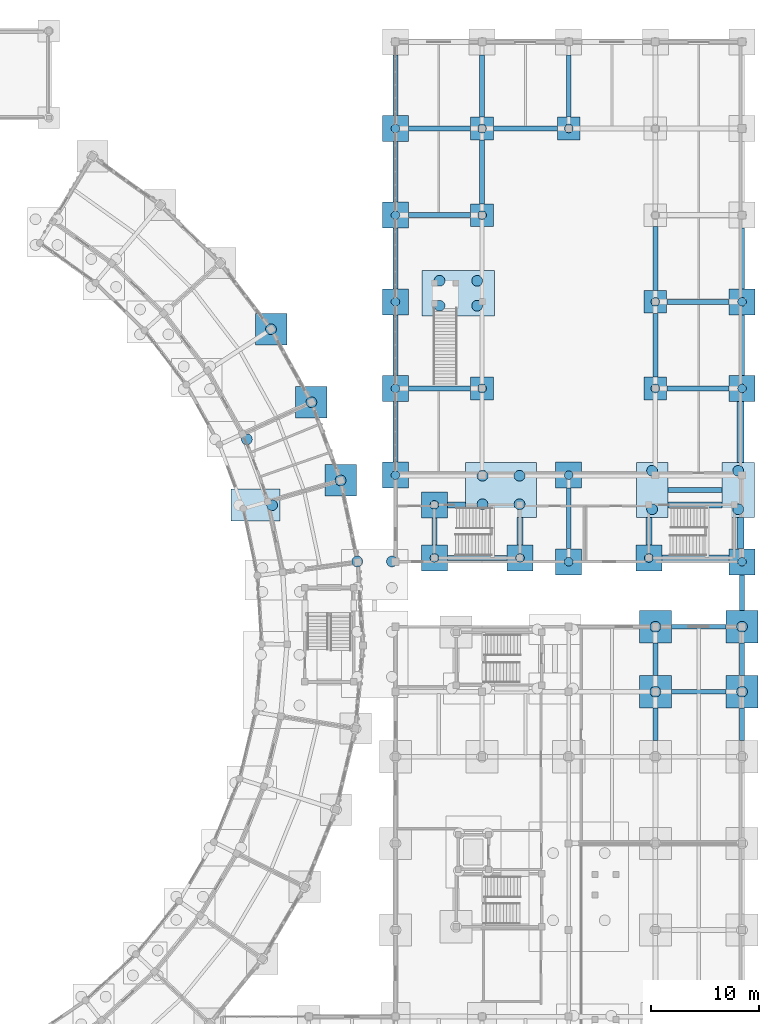
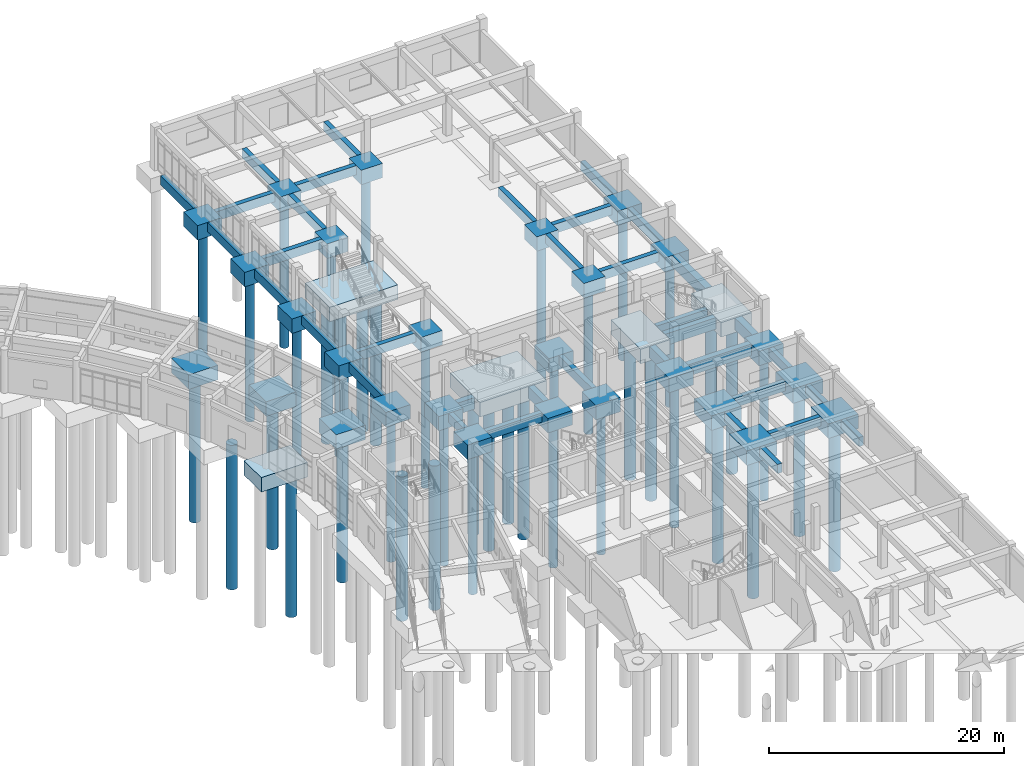
# One storey, part 6 of 153: 68 footings, 43 piles.
"""IFC4 building model written with IfcOpenShell, lengths in metres."""

from ifc_helpers import new_model, si_unit, direction, frame, origin, origin_2d, place, context, subcontext, project, spatial, polyline, rectangle, circle, outline, extrude, material, material_profile, profile_set, type_object, element, save


model = new_model("IFC4")

# Units and contexts
model_context = context("Model", 3, precision=1e-05, world=origin(), true_north=direction((0.0, 1.0)))
body_context = subcontext(model_context, "Body", "Model", "MODEL_VIEW")
ifc_project = project(units=[si_unit("LENGTHUNIT", "METRE"), si_unit("AREAUNIT", "SQUARE_METRE"), si_unit("VOLUMEUNIT", "CUBIC_METRE"), si_unit("PLANEANGLEUNIT", "RADIAN"), si_unit("MASSUNIT", "GRAM", prefix="KILO")], contexts=[model_context])

# Site, building, storey
site_placement = place(None, origin())
site = spatial("IfcSite", under=ifc_project, at=site_placement, CompositionType="ELEMENT")
building_placement = place(site_placement, origin())
building = spatial("IfcBuilding", under=site, at=building_placement, Name="Celadon Cloister-Ring School", CompositionType="ELEMENT")
storey_placement = place(building_placement, origin())
storey = spatial("IfcBuildingStorey", under=building, at=storey_placement, Name="L00", CompositionType="ELEMENT", Elevation=0.0)

# Footings
ifc_material_1 = material(Name="Concrete C40/50", Category="concrete")
footing_type_1 = type_object("IfcFootingType", Name="FC-05", PredefinedType="PILE_CAP", material=ifc_material_1)
for number, where, z_axis, x_axis, name in (
    (1, (136.93505859375, 73.508056640625, -1.5), (0.0, 0.0, 1.0), (1.0, 0.0, 0.0), "Pile Cap 094"),
    (2, (134.243896484375, 80.72607421875, -1.5), (0.0, 0.0, 1.0), (1.0, 0.0, 0.0), "Pile Cap 095"),
    (3, (130.51611328125, 87.467041015625, -1.5), (0.0, 0.0, 1.0), (1.0, 0.0, 0.0), "Pile Cap 096"),
):
    element("IfcFooting", number, at=place(storey_placement, frame(where, z_axis=z_axis, x_axis=x_axis)), inside=storey, type_object=footing_type_1, Name=name, PredefinedType="PILE_CAP", context=body_context, shape_type="SweptSolid", body=[
        extrude(rectangle(XDim=2.89990234375, YDim=2.89990234375, at=origin_2d()), origin(), (0.0, 0.0, 1.0), 1.5),
    ])
ifc_material_2 = material(Name="Concrete C40/50", Category="concrete")
footing_type_2 = type_object("IfcFootingType", Name="FC-09", PredefinedType="PILE_CAP", material=ifc_material_2)
for number, where, z_axis, x_axis, name in (
    (4, (145.60009765625, 66.35009765625, -1.5), (0.0, 0.0, 1.0), (1.0, 0.0, 0.0), "Pile Cap 012"),
    (5, (153.5, 66.35009765625, -1.5), (0.0, 0.0, 1.0), (1.0, 0.0, 0.0), "Pile Cap 013"),
    (6, (145.60009765625, 71.25, -1.5), (0.0, 0.0, 1.0), (1.0, 0.0, 0.0), "Pile Cap 015"),
    (7, (165.39990234375, 66.35009765625, -1.5), (0.0, 0.0, 1.0), (1.0, 0.0, 0.0), "Pile Cap 016"),
    (8, (142.0, 106.0, -1.5), (0.0, 0.0, 1.0), (1.0, 0.0, 0.0), "Pile Cap 100"),
    (9, (142.0, 74.0, -1.5), (0.0, 0.0, 1.0), (1.0, 0.0, 0.0), "Pile Cap 102"),
    (10, (142.0, 82.0, -1.5), (0.0, 0.0, 1.0), (1.0, 0.0, 0.0), "Pile Cap 103"),
    (11, (142.0, 90.0, -1.5), (0.0, 0.0, 1.0), (1.0, 0.0, 0.0), "Pile Cap 104"),
    (12, (142.0, 98.0, -1.5), (0.0, 0.0, 1.0), (1.0, 0.0, 0.0), "Pile Cap 105"),
    (13, (158.0, 66.0, -1.5), (0.0, 0.0, 1.0), (1.0, 0.0, 0.0), "Pile Cap 112"),
    (14, (158.0, 74.0, -1.5), (0.0, 0.0, 1.0), (1.0, 0.0, 0.0), "Pile Cap 113"),
    (15, (174.0, 66.0, -1.5), (0.0, 0.0, 1.0), (1.0, 0.0, 0.0), "Pile Cap 121"),
    (16, (174.0, 82.0, -1.5), (0.0, 0.0, 1.0), (1.0, 0.0, 0.0), "Pile Cap 122"),
    (17, (174.0, 90.0, -1.5), (0.0, 0.0, 1.0), (1.0, 0.0, 0.0), "Pile Cap 123"),
):
    element("IfcFooting", number, at=place(storey_placement, frame(where, z_axis=z_axis, x_axis=x_axis)), inside=storey, type_object=footing_type_2, Name=name, PredefinedType="PILE_CAP", context=body_context, shape_type="SweptSolid", body=[
        extrude(rectangle(XDim=2.39990234375, YDim=2.39990234375, at=origin_2d()), origin(), (0.0, 0.0, 1.0), 1.5),
    ])
ifc_material_3 = material(Name="Concrete C40/50", Category="concrete")
footing_type_3 = type_object("IfcFootingType", Name="FC-10", PredefinedType="PILE_CAP", material=ifc_material_3)
footing_1_placement = place(storey_placement, frame((151.75, 72.625, -1.5), z_axis=(0.0, 0.0, 1.0), x_axis=(1.0, 0.0, 0.0)))
element("IfcFooting", 18, at=footing_1_placement, inside=storey, type_object=footing_type_3, Name="Pile Cap 014", PredefinedType="PILE_CAP", context=body_context, shape_type="SweptSolid", body=[
    extrude(rectangle(XDim=6.56494140625, YDim=5.050048828125, at=origin_2d()), origin(), (0.0, 0.0, 1.0), 1.5),
])
ifc_material_4 = material(Name="Concrete C40/50", Category="concrete")
footing_type_4 = type_object("IfcFootingType", Name="FC-11", PredefinedType="PILE_CAP", material=ifc_material_4)
footing_2_placement = place(storey_placement, frame((173.64990234375, 72.625, -1.5), z_axis=(0.0, 0.0, 1.0), x_axis=(1.0, 0.0, 0.0)))
element("IfcFooting", 19, at=footing_2_placement, inside=storey, type_object=footing_type_4, Name="Pile Cap 017", PredefinedType="PILE_CAP", context=body_context, shape_type="SweptSolid", body=[
    extrude(rectangle(XDim=3.0, YDim=5.050048828125, at=origin_2d()), origin(), (0.0, 0.0, 1.0), 1.5),
])
ifc_material_5 = material(Name="Concrete C40/50", Category="concrete")
footing_type_5 = type_object("IfcFootingType", Name="FC-12", PredefinedType="PILE_CAP", material=ifc_material_5)
footing_3_placement = place(storey_placement, frame((165.699951171875, 72.625, -1.5), z_axis=(0.0, 0.0, 1.0), x_axis=(1.0, 0.0, 0.0)))
element("IfcFooting", 20, at=footing_3_placement, inside=storey, type_object=footing_type_5, Name="Pile Cap 018", PredefinedType="PILE_CAP", context=body_context, shape_type="SweptSolid", body=[
    extrude(rectangle(XDim=2.89990234375, YDim=5.050048828125, at=origin_2d()), origin(), (0.0, 0.0, 1.0), 1.5),
])
ifc_material_6 = material(Name="Concrete C40/50", Category="concrete")
footing_type_6 = type_object("IfcFootingType", Name="FC-16", PredefinedType="PILE_CAP", material=ifc_material_6)
for number, where, z_axis, x_axis, name in (
    (21, (166.0, 54.0, -1.5), (0.0, 0.0, 1.0), (1.0, 0.0, 0.0), "Pile Cap 167"),
    (22, (166.0, 60.0, -1.5), (0.0, 0.0, 1.0), (1.0, 0.0, 0.0), "Pile Cap 168"),
    (23, (174.0, 54.0, -1.5), (0.0, 0.0, 1.0), (1.0, 0.0, 0.0), "Pile Cap 176"),
    (24, (174.0, 60.0, -1.5), (0.0, 0.0, 1.0), (1.0, 0.0, 0.0), "Pile Cap 177"),
):
    element("IfcFooting", number, at=place(storey_placement, frame(where, z_axis=z_axis, x_axis=x_axis)), inside=storey, type_object=footing_type_6, Name=name, PredefinedType="PILE_CAP", context=body_context, shape_type="SweptSolid", body=[
        extrude(rectangle(XDim=2.9599609375, YDim=2.9599609375, at=origin_2d()), origin(), (0.0, 0.0, 1.0), 1.5),
    ])
ifc_material_7 = material(Name="Concrete C40/50", Category="concrete")
footing_type_7 = type_object("IfcFootingType", Name="FC-24", PredefinedType="PILE_CAP", material=ifc_material_7)
footing_4_placement = place(storey_placement, frame((147.81005859375, 90.7900390625, -1.5), z_axis=(0.0, 0.0, 1.0), x_axis=(1.0, 0.0, 0.0)))
element("IfcFooting", 25, at=footing_4_placement, inside=storey, type_object=footing_type_7, Name="Pile Cap 039", PredefinedType="PILE_CAP", context=body_context, shape_type="SweptSolid", body=[
    extrude(rectangle(XDim=6.679931640625, YDim=4.179931640625, at=origin_2d()), origin(), (0.0, 0.0, 1.0), 1.5),
])
ifc_material_8 = material(Name="Concrete C40/50", Category="concrete")
footing_type_8 = type_object("IfcFootingType", Name="FC-33", PredefinedType="PILE_CAP", material=ifc_material_8)
footing_5_placement = place(storey_placement, frame((129.0849609375, 71.22705078125, -1.5), z_axis=(0.0, 0.0, 1.0), x_axis=(1.0, 0.0, 0.0)))
element("IfcFooting", 26, at=footing_5_placement, inside=storey, type_object=footing_type_8, Name="Pile Cap 065", PredefinedType="PILE_CAP", context=body_context, shape_type="SweptSolid", body=[
    extrude(rectangle(XDim=4.555908203125, YDim=2.9560546875, at=origin_2d()), origin(), (0.0, 0.0, 1.0), 1.5),
])
ifc_material_9 = material(Name="Concrete C40/50", Category="concrete")
footing_type_9 = type_object("IfcFootingType", Name="FC-42", PredefinedType="PILE_CAP", material=ifc_material_9)
for number, where, z_axis, x_axis, name in (
    (27, (150.0, 106.0, -1.5), (0.0, 0.0, 1.0), (1.0, 0.0, 0.0), "Pile Cap 106"),
    (28, (150.0, 82.0, -1.5), (0.0, 0.0, 1.0), (1.0, 0.0, 0.0), "Pile Cap 108"),
    (29, (150.0, 98.0, -1.5), (0.0, 0.0, 1.0), (1.0, 0.0, 0.0), "Pile Cap 109"),
    (30, (158.0, 106.0, -1.5), (0.0, 0.0, 1.0), (1.0, 0.0, 0.0), "Pile Cap 110"),
    (31, (166.0, 82.0, -1.5), (0.0, 0.0, 1.0), (1.0, 0.0, 0.0), "Pile Cap 116"),
    (32, (166.0, 90.0, -1.5), (0.0, 0.0, 1.0), (1.0, 0.0, 0.0), "Pile Cap 117"),
):
    element("IfcFooting", number, at=place(storey_placement, frame(where, z_axis=z_axis, x_axis=x_axis)), inside=storey, type_object=footing_type_9, Name=name, PredefinedType="PILE_CAP", context=body_context, shape_type="SweptSolid", body=[
        extrude(rectangle(XDim=2.10009765625, YDim=2.10009765625, at=origin_2d()), origin(), (0.0, 0.0, 1.0), 1.5),
    ])

# Piles
ifc_material_10 = material(Name="Concrete C35/45", Category="concrete")
ifc_material_profile_1 = material_profile(ifc_material_10, circle(Radius=0.39990234375, at=origin_2d()), Name="PILE800")
ifc_profile_set_1 = profile_set([ifc_material_profile_1], Name="Concrete C35/45")
pile_type_1 = type_object("IfcPileType", Name="PL-01", PredefinedType="BORED", material=ifc_profile_set_1)
for number, where, z_axis, x_axis, name in (
    (33, (145.60009765625, 66.35009765625, -1.39990234375), (0.0, 0.0, -1.0), (1.0, 0.0, 0.0), "Bored Pile 0040"),
    (34, (153.5, 66.35009765625, -1.39990234375), (0.0, 0.0, -1.0), (1.0, 0.0, 0.0), "Bored Pile 0041"),
    (35, (145.60009765625, 71.25, -1.39990234375), (0.0, 0.0, -1.0), (1.0, 0.0, 0.0), "Bored Pile 0046"),
    (36, (165.39990234375, 66.35009765625, -1.39990234375), (0.0, 0.0, -1.0), (1.0, 0.0, 0.0), "Bored Pile 0047"),
    (37, (142.0, 106.0, -1.39990234375), (0.0, 0.0, -1.0), (1.0, 0.0, 0.0), "Bored Pile 0238"),
    (38, (142.0, 74.0, -1.39990234375), (0.0, 0.0, -1.0), (1.0, 0.0, 0.0), "Bored Pile 0240"),
    (39, (142.0, 82.0, -1.39990234375), (0.0, 0.0, -1.0), (1.0, 0.0, 0.0), "Bored Pile 0241"),
    (40, (142.0, 90.0, -1.39990234375), (0.0, 0.0, -1.0), (1.0, 0.0, 0.0), "Bored Pile 0242"),
    (41, (142.0, 98.0, -1.39990234375), (0.0, 0.0, -1.0), (1.0, 0.0, 0.0), "Bored Pile 0243"),
    (42, (150.0, 106.0, -1.39990234375), (0.0, 0.0, -1.0), (1.0, 0.0, 0.0), "Bored Pile 0244"),
    (43, (150.0, 82.0, -1.39990234375), (0.0, 0.0, -1.0), (1.0, 0.0, 0.0), "Bored Pile 0246"),
    (44, (150.0, 98.0, -1.39990234375), (0.0, 0.0, -1.0), (1.0, 0.0, 0.0), "Bored Pile 0247"),
    (45, (158.0, 106.0, -1.39990234375), (0.0, 0.0, -1.0), (1.0, 0.0, 0.0), "Bored Pile 0248"),
    (46, (158.0, 66.0, -1.39990234375), (0.0, 0.0, -1.0), (1.0, 0.0, 0.0), "Bored Pile 0250"),
    (47, (158.0, 74.0, -1.39990234375), (0.0, 0.0, -1.0), (1.0, 0.0, 0.0), "Bored Pile 0251"),
    (48, (166.0, 82.0, -1.39990234375), (0.0, 0.0, -1.0), (1.0, 0.0, 0.0), "Bored Pile 0254"),
    (49, (166.0, 90.0, -1.39990234375), (0.0, 0.0, -1.0), (1.0, 0.0, 0.0), "Bored Pile 0255"),
    (50, (174.0, 66.0, -1.39990234375), (0.0, 0.0, -1.0), (1.0, 0.0, 0.0), "Bored Pile 0259"),
    (51, (174.0, 82.0, -1.39990234375), (0.0, 0.0, -1.0), (1.0, 0.0, 0.0), "Bored Pile 0260"),
    (52, (174.0, 90.0, -1.39990234375), (0.0, 0.0, -1.0), (1.0, 0.0, 0.0), "Bored Pile 0261"),
):
    element("IfcPile", number, at=place(storey_placement, frame(where, z_axis=z_axis, x_axis=x_axis)), inside=storey, type_object=pile_type_1, Name=name, PredefinedType="BORED", context=body_context, shape_type="SweptSolid", body=[
        extrude(circle(Radius=0.39990234375, at=origin_2d()), origin(), (0.0, 0.0, 1.0), 15.0),
    ])
ifc_material_11 = material(Name="Concrete C35/45", Category="concrete")
ifc_material_profile_2 = material_profile(ifc_material_11, circle(Radius=0.5, at=origin_2d()), Name="PILE1000")
ifc_profile_set_2 = profile_set([ifc_material_profile_2], Name="Concrete C35/45")
pile_type_2 = type_object("IfcPileType", Name="PL-02", PredefinedType="BORED", material=ifc_profile_set_2)
for number, where, z_axis, x_axis, name in (
    (53, (141.674072265625, 66.027099609375, -1.39990234375), (0.0, 0.0, -1.0), (1.0, 0.0, 0.0), "Bored Pile 0011"),
    (54, (138.47607421875, 66.027099609375, -1.39990234375), (0.0, 0.0, -1.0), (1.0, 0.0, 0.0), "Bored Pile 0012"),
    (55, (150.04296875, 71.31201171875, -1.39990234375), (0.0, 0.0, -1.0), (1.0, 0.0, 0.0), "Bored Pile 0042"),
    (56, (153.45703125, 71.31201171875, -1.39990234375), (0.0, 0.0, -1.0), (1.0, 0.0, 0.0), "Bored Pile 0043"),
    (57, (153.45703125, 73.93798828125, -1.39990234375), (0.0, 0.0, -1.0), (1.0, 0.0, 0.0), "Bored Pile 0044"),
    (58, (150.04296875, 73.93798828125, -1.39990234375), (0.0, 0.0, -1.0), (1.0, 0.0, 0.0), "Bored Pile 0045"),
    (59, (173.64990234375, 70.85009765625, -1.39990234375), (0.0, 0.0, -1.0), (1.0, 0.0, 0.0), "Bored Pile 0048"),
    (60, (173.64990234375, 74.39990234375, -1.39990234375), (0.0, 0.0, -1.0), (1.0, 0.0, 0.0), "Bored Pile 0049"),
    (61, (165.699951171875, 70.85009765625, -1.39990234375), (0.0, 0.0, -1.0), (1.0, 0.0, 0.0), "Bored Pile 0050"),
    (62, (165.699951171875, 74.39990234375, -1.39990234375), (0.0, 0.0, -1.0), (1.0, 0.0, 0.0), "Bored Pile 0051"),
    (63, (146.072998046875, 89.639892578125, -1.39990234375), (0.0, 0.0, -1.0), (1.0, 0.0, 0.0), "Bored Pile 0112"),
    (64, (149.547119140625, 89.639892578125, -1.39990234375), (0.0, 0.0, -1.0), (1.0, 0.0, 0.0), "Bored Pile 0113"),
    (65, (149.547119140625, 91.93994140625, -1.39990234375), (0.0, 0.0, -1.0), (1.0, 0.0, 0.0), "Bored Pile 0114"),
    (66, (146.072998046875, 91.93994140625, -1.39990234375), (0.0, 0.0, -1.0), (1.0, 0.0, 0.0), "Bored Pile 0115"),
    (67, (130.613037109375, 71.22705078125, -1.39990234375), (0.0, 0.0, -1.0), (1.0, 0.0, 0.0), "Bored Pile 0191"),
    (68, (128.282958984375, 77.31005859375, -1.39990234375), (0.0, 0.0, -1.0), (1.0, 0.0, 0.0), "Bored Pile 0193"),
    (69, (136.93505859375, 73.508056640625, -1.39990234375), (0.0, 0.0, -1.0), (1.0, 0.0, 0.0), "Bored Pile 0232"),
    (70, (134.243896484375, 80.72607421875, -1.39990234375), (0.0, 0.0, -1.0), (1.0, 0.0, 0.0), "Bored Pile 0233"),
    (71, (130.51611328125, 87.467041015625, -1.39990234375), (0.0, 0.0, -1.0), (1.0, 0.0, 0.0), "Bored Pile 0234"),
    (72, (166.0, 54.0, -1.39990234375), (0.0, 0.0, -1.0), (1.0, 0.0, 0.0), "Bored Pile 0304"),
    (73, (166.0, 60.0, -1.39990234375), (0.0, 0.0, -1.0), (1.0, 0.0, 0.0), "Bored Pile 0305"),
    (74, (174.0, 54.0, -1.39990234375), (0.0, 0.0, -1.0), (1.0, 0.0, 0.0), "Bored Pile 0313"),
    (75, (174.0, 60.0, -1.39990234375), (0.0, 0.0, -1.0), (1.0, 0.0, 0.0), "Bored Pile 0314"),
):
    element("IfcPile", number, at=place(storey_placement, frame(where, z_axis=z_axis, x_axis=x_axis)), inside=storey, type_object=pile_type_2, Name=name, PredefinedType="BORED", context=body_context, shape_type="SweptSolid", body=[
        extrude(circle(Radius=0.5, at=origin_2d()), origin(), (0.0, 0.0, 1.0), 15.0),
    ])

# Footings
ifc_material_12 = material(Name="Concrete C40/50", Category="concrete")
footing_type_10 = type_object("IfcFootingType", Name="SF-01", PredefinedType="STRIP_FOOTING", material=ifc_material_12)
footing_6_placement = place(storey_placement, frame((0.0, 0.0, -0.949951171875)))
element("IfcFooting", 76, at=footing_6_placement, inside=storey, type_object=footing_type_10, Name="Seismic Tie Strip 0002", PredefinedType="STRIP_FOOTING", context=body_context, shape_type="SweptSolid", body=[
    extrude(outline(polyline([(146.804931640625, 66.125), (152.294921875, 66.125), (152.294921875, 66.574951171875), (146.804931640625, 66.574951171875), (146.804931640625, 66.125)])), origin(), (0.0, 0.0, 1.0), 0.949951171875),
])
footing_7_placement = place(storey_placement, frame((0.0, 0.0, -0.949951171875)))
element("IfcFooting", 77, at=footing_7_placement, inside=storey, type_object=footing_type_10, Name="Seismic Tie Strip 0003", PredefinedType="STRIP_FOOTING", context=body_context, shape_type="SweptSolid", body=[
    extrude(outline(polyline([(145.824951171875, 67.554931640625), (145.824951171875, 70.044921875), (145.375, 70.044921875), (145.375, 67.554931640625), (145.824951171875, 67.554931640625)])), origin(), (0.0, 0.0, 1.0), 0.949951171875),
])
footing_8_placement = place(storey_placement, frame((0.0, 0.0, -0.949951171875)))
element("IfcFooting", 78, at=footing_8_placement, inside=storey, type_object=footing_type_10, Name="Seismic Tie Strip 0004", PredefinedType="STRIP_FOOTING", context=body_context, shape_type="SweptSolid", body=[
    extrude(outline(polyline([(172.14501953125, 72.85009765625), (167.155029296875, 72.85009765625), (167.155029296875, 72.39990234375), (172.14501953125, 72.39990234375), (172.14501953125, 72.85009765625)])), origin(), (0.0, 0.0, 1.0), 0.949951171875),
])
footing_9_placement = place(storey_placement, frame((0.0, 0.0, -0.949951171875)))
element("IfcFooting", 79, at=footing_9_placement, inside=storey, type_object=footing_type_10, Name="Seismic Tie Strip 0008", PredefinedType="STRIP_FOOTING", context=body_context, shape_type="SweptSolid", body=[
    extrude(outline(polyline([(142.22509765625, 107.205078125), (142.22509765625, 112.794921875), (141.77490234375, 112.794921875), (141.77490234375, 107.205078125), (142.22509765625, 107.205078125)])), origin(), (0.0, 0.0, 1.0), 0.949951171875),
])
footing_10_placement = place(storey_placement, frame((0.0, 0.0, -0.949951171875)))
element("IfcFooting", 80, at=footing_10_placement, inside=storey, type_object=footing_type_10, Name="Seismic Tie Strip 0009", PredefinedType="STRIP_FOOTING", context=body_context, shape_type="SweptSolid", body=[
    extrude(outline(polyline([(141.77490234375, 104.794921875), (141.77490234375, 99.205078125), (142.22509765625, 99.205078125), (142.22509765625, 104.794921875), (141.77490234375, 104.794921875)])), origin(), (0.0, 0.0, 1.0), 0.949951171875),
])
footing_11_placement = place(storey_placement, frame((0.0, 0.0, -0.949951171875)))
element("IfcFooting", 81, at=footing_11_placement, inside=storey, type_object=footing_type_10, Name="Seismic Tie Strip 0010", PredefinedType="STRIP_FOOTING", context=body_context, shape_type="SweptSolid", body=[
    extrude(outline(polyline([(143.205078125, 105.77490234375), (148.945068359375, 105.77490234375), (148.945068359375, 106.22509765625), (143.205078125, 106.22509765625), (143.205078125, 105.77490234375)])), origin(), (0.0, 0.0, 1.0), 0.949951171875),
])
footing_12_placement = place(storey_placement, frame((0.0, 0.0, -0.949951171875)))
element("IfcFooting", 82, at=footing_12_placement, inside=storey, type_object=footing_type_10, Name="Seismic Tie Strip 0012", PredefinedType="STRIP_FOOTING", context=body_context, shape_type="SweptSolid", body=[
    extrude(outline(polyline([(142.22509765625, 75.205078125), (142.22509765625, 80.794921875), (141.77490234375, 80.794921875), (141.77490234375, 75.205078125), (142.22509765625, 75.205078125)])), origin(), (0.0, 0.0, 1.0), 0.949951171875),
])
footing_13_placement = place(storey_placement, frame((0.0, 0.0, -0.949951171875)))
element("IfcFooting", 83, at=footing_13_placement, inside=storey, type_object=footing_type_10, Name="Seismic Tie Strip 0013", PredefinedType="STRIP_FOOTING", context=body_context, shape_type="SweptSolid", body=[
    extrude(outline(polyline([(142.22509765625, 83.205078125), (142.22509765625, 88.794921875), (141.77490234375, 88.794921875), (141.77490234375, 83.205078125), (142.22509765625, 83.205078125)])), origin(), (0.0, 0.0, 1.0), 0.949951171875),
])
footing_14_placement = place(storey_placement, frame((0.0, 0.0, -0.949951171875)))
element("IfcFooting", 84, at=footing_14_placement, inside=storey, type_object=footing_type_10, Name="Seismic Tie Strip 0014", PredefinedType="STRIP_FOOTING", context=body_context, shape_type="SweptSolid", body=[
    extrude(outline(polyline([(143.205078125, 81.77490234375), (148.945068359375, 81.77490234375), (148.945068359375, 82.22509765625), (143.205078125, 82.22509765625), (143.205078125, 81.77490234375)])), origin(), (0.0, 0.0, 1.0), 0.949951171875),
])
footing_15_placement = place(storey_placement, frame((0.0, 0.0, -0.949951171875)))
element("IfcFooting", 85, at=footing_15_placement, inside=storey, type_object=footing_type_10, Name="Seismic Tie Strip 0015", PredefinedType="STRIP_FOOTING", context=body_context, shape_type="SweptSolid", body=[
    extrude(outline(polyline([(142.22509765625, 91.205078125), (142.22509765625, 96.794921875), (141.77490234375, 96.794921875), (141.77490234375, 91.205078125), (142.22509765625, 91.205078125)])), origin(), (0.0, 0.0, 1.0), 0.949951171875),
])
footing_16_placement = place(storey_placement, frame((0.0, 0.0, -0.949951171875)))
element("IfcFooting", 86, at=footing_16_placement, inside=storey, type_object=footing_type_10, Name="Seismic Tie Strip 0016", PredefinedType="STRIP_FOOTING", context=body_context, shape_type="SweptSolid", body=[
    extrude(outline(polyline([(143.205078125, 97.77490234375), (148.945068359375, 97.77490234375), (148.945068359375, 98.22509765625), (143.205078125, 98.22509765625), (143.205078125, 97.77490234375)])), origin(), (0.0, 0.0, 1.0), 0.949951171875),
])
footing_17_placement = place(storey_placement, frame((0.0, 0.0, -0.949951171875)))
element("IfcFooting", 87, at=footing_17_placement, inside=storey, type_object=footing_type_10, Name="Seismic Tie Strip 0017", PredefinedType="STRIP_FOOTING", context=body_context, shape_type="SweptSolid", body=[
    extrude(outline(polyline([(150.22509765625, 107.054931640625), (150.22509765625, 112.794921875), (149.77490234375, 112.794921875), (149.77490234375, 107.054931640625), (150.22509765625, 107.054931640625)])), origin(), (0.0, 0.0, 1.0), 0.949951171875),
])
footing_18_placement = place(storey_placement, frame((0.0, 0.0, -0.949951171875)))
element("IfcFooting", 88, at=footing_18_placement, inside=storey, type_object=footing_type_10, Name="Seismic Tie Strip 0018", PredefinedType="STRIP_FOOTING", context=body_context, shape_type="SweptSolid", body=[
    extrude(outline(polyline([(149.77490234375, 104.945068359375), (149.77490234375, 99.054931640625), (150.22509765625, 99.054931640625), (150.22509765625, 104.945068359375), (149.77490234375, 104.945068359375)])), origin(), (0.0, 0.0, 1.0), 0.949951171875),
])
footing_19_placement = place(storey_placement, frame((0.0, 0.0, -0.949951171875)))
element("IfcFooting", 89, at=footing_19_placement, inside=storey, type_object=footing_type_10, Name="Seismic Tie Strip 0019", PredefinedType="STRIP_FOOTING", context=body_context, shape_type="SweptSolid", body=[
    extrude(outline(polyline([(151.054931640625, 105.77490234375), (156.945068359375, 105.77490234375), (156.945068359375, 106.22509765625), (151.054931640625, 106.22509765625), (151.054931640625, 105.77490234375)])), origin(), (0.0, 0.0, 1.0), 0.949951171875),
])
footing_20_placement = place(storey_placement, frame((0.0, 0.0, -0.949951171875)))
element("IfcFooting", 90, at=footing_20_placement, inside=storey, type_object=footing_type_10, Name="Seismic Tie Strip 0021", PredefinedType="STRIP_FOOTING", context=body_context, shape_type="SweptSolid", body=[
    extrude(outline(polyline([(158.22509765625, 107.054931640625), (158.22509765625, 112.794921875), (157.77490234375, 112.794921875), (157.77490234375, 107.054931640625), (158.22509765625, 107.054931640625)])), origin(), (0.0, 0.0, 1.0), 0.949951171875),
])
footing_21_placement = place(storey_placement, frame((0.0, 0.0, -0.949951171875)))
element("IfcFooting", 91, at=footing_21_placement, inside=storey, type_object=footing_type_10, Name="Seismic Tie Strip 0024", PredefinedType="STRIP_FOOTING", context=body_context, shape_type="SweptSolid", body=[
    extrude(outline(polyline([(158.22509765625, 67.205078125), (158.22509765625, 72.794921875), (157.77490234375, 72.794921875), (157.77490234375, 67.205078125), (158.22509765625, 67.205078125)])), origin(), (0.0, 0.0, 1.0), 0.949951171875),
])
footing_22_placement = place(storey_placement, frame((0.0, 0.0, -0.949951171875)))
element("IfcFooting", 92, at=footing_22_placement, inside=storey, type_object=footing_type_10, Name="Seismic Tie Strip 0029", PredefinedType="STRIP_FOOTING", context=body_context, shape_type="SweptSolid", body=[
    extrude(outline(polyline([(166.22509765625, 83.054931640625), (166.22509765625, 88.945068359375), (165.77490234375, 88.945068359375), (165.77490234375, 83.054931640625), (166.22509765625, 83.054931640625)])), origin(), (0.0, 0.0, 1.0), 0.949951171875),
])
footing_23_placement = place(storey_placement, frame((0.0, 0.0, -0.949951171875)))
element("IfcFooting", 93, at=footing_23_placement, inside=storey, type_object=footing_type_10, Name="Seismic Tie Strip 0030", PredefinedType="STRIP_FOOTING", context=body_context, shape_type="SweptSolid", body=[
    extrude(outline(polyline([(167.054931640625, 81.77490234375), (172.794921875, 81.77490234375), (172.794921875, 82.22509765625), (167.054931640625, 82.22509765625), (167.054931640625, 81.77490234375)])), origin(), (0.0, 0.0, 1.0), 0.949951171875),
])
footing_24_placement = place(storey_placement, frame((0.0, 0.0, -0.949951171875)))
element("IfcFooting", 94, at=footing_24_placement, inside=storey, type_object=footing_type_10, Name="Seismic Tie Strip 0031", PredefinedType="STRIP_FOOTING", context=body_context, shape_type="SweptSolid", body=[
    extrude(outline(polyline([(166.22509765625, 91.054931640625), (166.22509765625, 96.945068359375), (165.77490234375, 96.945068359375), (165.77490234375, 91.054931640625), (166.22509765625, 91.054931640625)])), origin(), (0.0, 0.0, 1.0), 0.949951171875),
])
footing_25_placement = place(storey_placement, frame((0.0, 0.0, -0.949951171875)))
element("IfcFooting", 95, at=footing_25_placement, inside=storey, type_object=footing_type_10, Name="Seismic Tie Strip 0032", PredefinedType="STRIP_FOOTING", context=body_context, shape_type="SweptSolid", body=[
    extrude(outline(polyline([(167.054931640625, 89.77490234375), (172.794921875, 89.77490234375), (172.794921875, 90.22509765625), (167.054931640625, 90.22509765625), (167.054931640625, 89.77490234375)])), origin(), (0.0, 0.0, 1.0), 0.949951171875),
])
footing_26_placement = place(storey_placement, frame((0.0, 0.0, -0.949951171875)))
element("IfcFooting", 96, at=footing_26_placement, inside=storey, type_object=footing_type_10, Name="Seismic Tie Strip 0036", PredefinedType="STRIP_FOOTING", context=body_context, shape_type="SweptSolid", body=[
    extrude(outline(polyline([(173.77490234375, 64.794921875), (173.77490234375, 61.485107421875), (174.22509765625, 61.485107421875), (174.22509765625, 64.794921875), (173.77490234375, 64.794921875)])), origin(), (0.0, 0.0, 1.0), 0.949951171875),
])
footing_27_placement = place(storey_placement, frame((0.0, 0.0, -0.949951171875)))
element("IfcFooting", 97, at=footing_27_placement, inside=storey, type_object=footing_type_10, Name="Seismic Tie Strip 0037", PredefinedType="STRIP_FOOTING", context=body_context, shape_type="SweptSolid", body=[
    extrude(outline(polyline([(174.22509765625, 83.205078125), (174.22509765625, 88.794921875), (173.77490234375, 88.794921875), (173.77490234375, 83.205078125), (174.22509765625, 83.205078125)])), origin(), (0.0, 0.0, 1.0), 0.949951171875),
])
footing_28_placement = place(storey_placement, frame((0.0, 0.0, -0.949951171875)))
element("IfcFooting", 98, at=footing_28_placement, inside=storey, type_object=footing_type_10, Name="Seismic Tie Strip 0038", PredefinedType="STRIP_FOOTING", context=body_context, shape_type="SweptSolid", body=[
    extrude(outline(polyline([(174.22509765625, 91.205078125), (174.22509765625, 96.794921875), (173.77490234375, 96.794921875), (173.77490234375, 91.205078125), (174.22509765625, 91.205078125)])), origin(), (0.0, 0.0, 1.0), 0.949951171875),
])
footing_29_placement = place(storey_placement, frame((0.0, 0.0, -0.949951171875)))
element("IfcFooting", 99, at=footing_29_placement, inside=storey, type_object=footing_type_10, Name="Seismic Tie Strip 0087", PredefinedType="STRIP_FOOTING", context=body_context, shape_type="SweptSolid", body=[
    extrude(outline(polyline([(166.22509765625, 49.485107421875), (166.22509765625, 52.514892578125), (165.77490234375, 52.514892578125), (165.77490234375, 49.485107421875), (166.22509765625, 49.485107421875)])), origin(), (0.0, 0.0, 1.0), 0.949951171875),
])
footing_30_placement = place(storey_placement, frame((0.0, 0.0, -0.949951171875)))
element("IfcFooting", 100, at=footing_30_placement, inside=storey, type_object=footing_type_10, Name="Seismic Tie Strip 0089", PredefinedType="STRIP_FOOTING", context=body_context, shape_type="SweptSolid", body=[
    extrude(outline(polyline([(166.22509765625, 55.485107421875), (166.22509765625, 58.514892578125), (165.77490234375, 58.514892578125), (165.77490234375, 55.485107421875), (166.22509765625, 55.485107421875)])), origin(), (0.0, 0.0, 1.0), 0.949951171875),
])
footing_31_placement = place(storey_placement, frame((0.0, 0.0, -0.949951171875)))
element("IfcFooting", 101, at=footing_31_placement, inside=storey, type_object=footing_type_10, Name="Seismic Tie Strip 0090", PredefinedType="STRIP_FOOTING", context=body_context, shape_type="SweptSolid", body=[
    extrude(outline(polyline([(167.485107421875, 53.77490234375), (172.514892578125, 53.77490234375), (172.514892578125, 54.22509765625), (167.485107421875, 54.22509765625), (167.485107421875, 53.77490234375)])), origin(), (0.0, 0.0, 1.0), 0.949951171875),
])
footing_32_placement = place(storey_placement, frame((0.0, 0.0, -0.949951171875)))
element("IfcFooting", 102, at=footing_32_placement, inside=storey, type_object=footing_type_10, Name="Seismic Tie Strip 0091", PredefinedType="STRIP_FOOTING", context=body_context, shape_type="SweptSolid", body=[
    extrude(outline(polyline([(167.485107421875, 59.77490234375), (172.514892578125, 59.77490234375), (172.514892578125, 60.22509765625), (167.485107421875, 60.22509765625), (167.485107421875, 59.77490234375)])), origin(), (0.0, 0.0, 1.0), 0.949951171875),
])
footing_33_placement = place(storey_placement, frame((0.0, 0.0, -0.949951171875)))
element("IfcFooting", 103, at=footing_33_placement, inside=storey, type_object=footing_type_10, Name="Seismic Tie Strip 0098", PredefinedType="STRIP_FOOTING", context=body_context, shape_type="SweptSolid", body=[
    extrude(outline(polyline([(174.22509765625, 49.485107421875), (174.22509765625, 52.514892578125), (173.77490234375, 52.514892578125), (173.77490234375, 49.485107421875), (174.22509765625, 49.485107421875)])), origin(), (0.0, 0.0, 1.0), 0.949951171875),
])
footing_34_placement = place(storey_placement, frame((0.0, 0.0, -0.949951171875)))
element("IfcFooting", 104, at=footing_34_placement, inside=storey, type_object=footing_type_10, Name="Seismic Tie Strip 0099", PredefinedType="STRIP_FOOTING", context=body_context, shape_type="SweptSolid", body=[
    extrude(outline(polyline([(174.22509765625, 55.485107421875), (174.22509765625, 58.514892578125), (173.77490234375, 58.514892578125), (173.77490234375, 55.485107421875), (174.22509765625, 55.485107421875)])), origin(), (0.0, 0.0, 1.0), 0.949951171875),
])
ifc_material_13 = material(Name="Concrete C40/50", Category="concrete")
footing_type_11 = type_object("IfcFootingType", Name="SF-02", PredefinedType="STRIP_FOOTING", material=ifc_material_13)
footing_35_placement = place(storey_placement, frame((0.0, 0.0, -1.199951171875)))
element("IfcFooting", 105, at=footing_35_placement, inside=storey, type_object=footing_type_11, Name="Seismic Tie Strip 0156", PredefinedType="STRIP_FOOTING", context=body_context, shape_type="SweptSolid", body=[
    extrude(outline(polyline([(153.77490234375, 67.554931640625), (153.77490234375, 70.094970703125), (153.22509765625, 70.094970703125), (153.22509765625, 67.554931640625), (153.77490234375, 67.554931640625)])), origin(), (0.0, 0.0, 1.0), 1.199951171875),
])
footing_36_placement = place(storey_placement, frame((0.0, 0.0, -1.199951171875)))
element("IfcFooting", 106, at=footing_36_placement, inside=storey, type_object=footing_type_11, Name="Seismic Tie Strip 0157", PredefinedType="STRIP_FOOTING", context=body_context, shape_type="SweptSolid", body=[
    extrude(outline(polyline([(148.462890625, 71.52490234375), (146.804931640625, 71.52490234375), (146.804931640625, 70.97509765625), (148.462890625, 70.97509765625), (148.462890625, 71.52490234375)])), origin(), (0.0, 0.0, 1.0), 1.199951171875),
])
footing_37_placement = place(storey_placement, frame((0.0, 0.0, -1.199951171875)))
element("IfcFooting", 107, at=footing_37_placement, inside=storey, type_object=footing_type_11, Name="Seismic Tie Strip 0158", PredefinedType="STRIP_FOOTING", context=body_context, shape_type="SweptSolid", body=[
    extrude(outline(polyline([(166.60498046875, 66.074951171875), (172.794921875, 66.074951171875), (172.794921875, 66.625), (166.60498046875, 66.625), (166.60498046875, 66.074951171875)])), origin(), (0.0, 0.0, 1.0), 1.199951171875),
])
footing_38_placement = place(storey_placement, frame((0.0, 0.0, -1.199951171875)))
element("IfcFooting", 108, at=footing_38_placement, inside=storey, type_object=footing_type_11, Name="Seismic Tie Strip 0159", PredefinedType="STRIP_FOOTING", context=body_context, shape_type="SweptSolid", body=[
    extrude(outline(polyline([(172.14501953125, 71.52490234375), (167.155029296875, 71.52490234375), (167.155029296875, 70.97509765625), (172.14501953125, 70.97509765625), (172.14501953125, 71.52490234375)])), origin(), (0.0, 0.0, 1.0), 1.199951171875),
])
footing_39_placement = place(storey_placement, frame((0.0, 0.0, -1.199951171875)))
element("IfcFooting", 109, at=footing_39_placement, inside=storey, type_object=footing_type_11, Name="Seismic Tie Strip 0160", PredefinedType="STRIP_FOOTING", context=body_context, shape_type="SweptSolid", body=[
    extrude(outline(polyline([(165.125, 70.094970703125), (165.125, 67.554931640625), (165.675048828125, 67.554931640625), (165.675048828125, 70.094970703125), (165.125, 70.094970703125)])), origin(), (0.0, 0.0, 1.0), 1.199951171875),
])
ifc_material_14 = material(Name="Concrete C40/50", Category="concrete")
footing_type_12 = type_object("IfcFootingType", Name="SF-03", PredefinedType="STRIP_FOOTING", material=ifc_material_14)
footing_40_placement = place(storey_placement, frame((0.0, 0.0, -1.199951171875)))
element("IfcFooting", 110, at=footing_40_placement, inside=storey, type_object=footing_type_12, Name="Seismic Tie Strip 0144", PredefinedType="STRIP_FOOTING", context=body_context, shape_type="SweptSolid", body=[
    extrude(outline(polyline([(174.175048828125, 67.205078125), (174.175048828125, 70.094970703125), (173.52490234375, 70.094970703125), (173.52490234375, 67.205078125), (174.175048828125, 67.205078125)])), origin(), (0.0, 0.0, 1.0), 1.199951171875),
])
footing_41_placement = place(storey_placement, frame((0.0, 0.0, -1.199951171875)))
element("IfcFooting", 111, at=footing_41_placement, inside=storey, type_object=footing_type_12, Name="Seismic Tie Strip 0145", PredefinedType="STRIP_FOOTING", context=body_context, shape_type="SweptSolid", body=[
    extrude(outline(polyline([(174.175048828125, 75.155029296875), (174.175048828125, 80.794921875), (173.52490234375, 80.794921875), (173.52490234375, 75.155029296875), (174.175048828125, 75.155029296875)])), origin(), (0.0, 0.0, 1.0), 1.199951171875),
])

save(model, "model.ifc")
